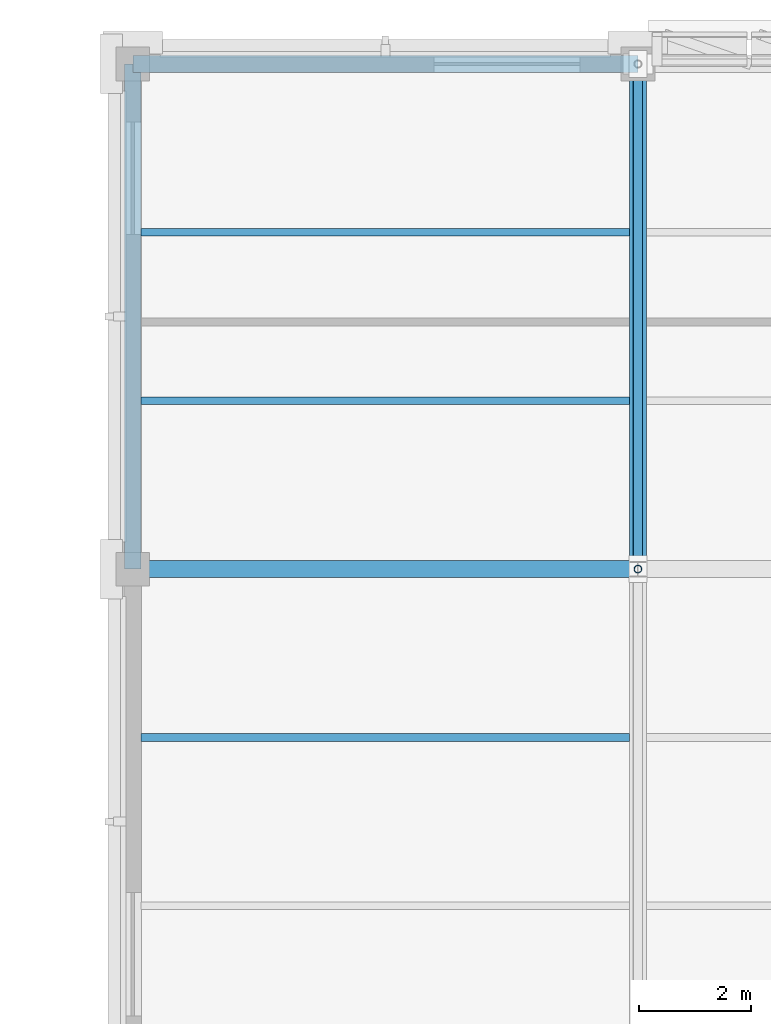
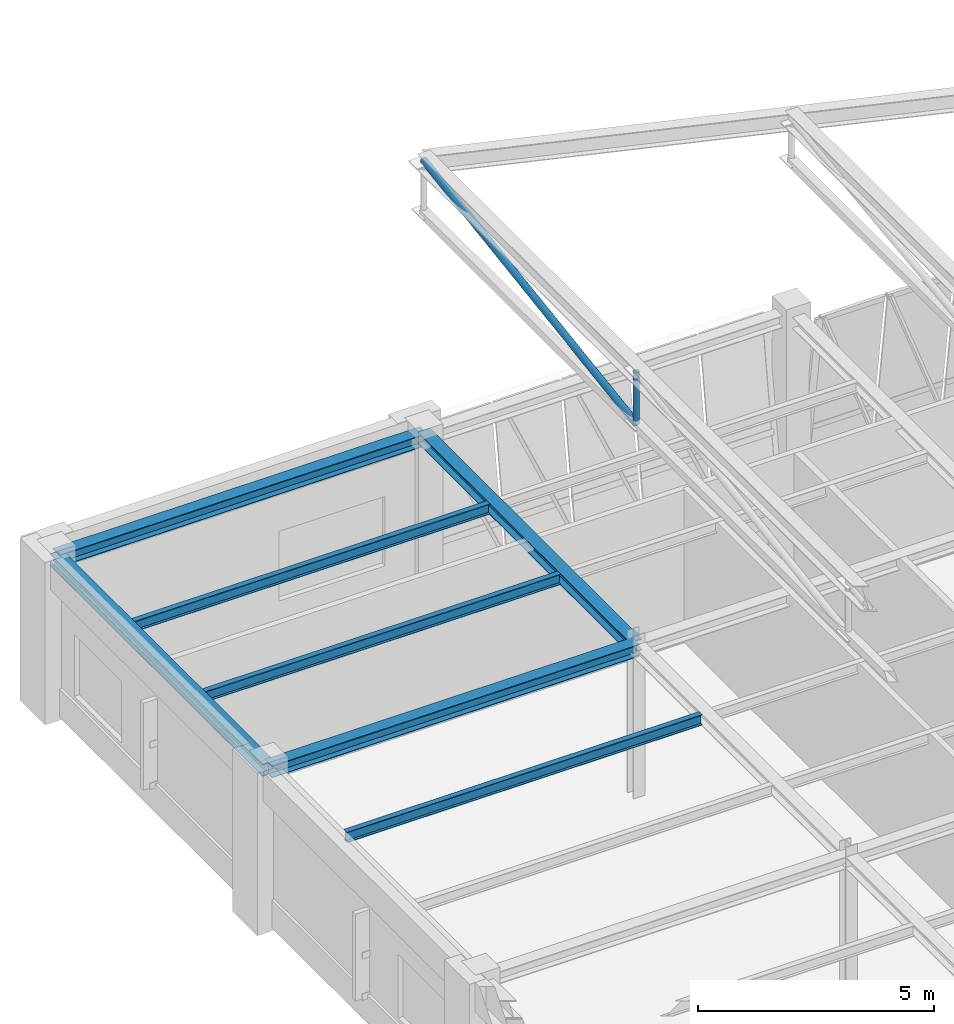
# One storey, part 75 of 130: 7 beams, 2 members.
"""IFC4 building model written with IfcOpenShell, lengths in metres."""

from ifc_helpers import new_model, si_unit, direction, frame, origin, origin_2d, place, context, subcontext, project, spatial, hollow_circle, i_section, extrude, material, material_profile, profile_set, type_object, element, save


model = new_model("IFC4")

# Units and contexts
model_context = context("Model", 3, precision=1e-05, world=origin(), true_north=direction((0.0, 1.0)))
body_context = subcontext(model_context, "Body", "Model", "MODEL_VIEW")
ifc_project = project(units=[si_unit("LENGTHUNIT", "METRE"), si_unit("AREAUNIT", "SQUARE_METRE"), si_unit("VOLUMEUNIT", "CUBIC_METRE"), si_unit("PLANEANGLEUNIT", "RADIAN"), si_unit("MASSUNIT", "GRAM", prefix="KILO")], contexts=[model_context])

# Site, building, storey
site_placement = place(None, origin())
site = spatial("IfcSite", under=ifc_project, at=site_placement, CompositionType="ELEMENT")
building_placement = place(site_placement, origin())
building = spatial("IfcBuilding", under=site, at=building_placement, Name="Lykobir Media Centre", CompositionType="ELEMENT")
storey_placement = place(building_placement, frame((0.0, 0.0, 19.199951171875)))
storey = spatial("IfcBuildingStorey", under=building, at=storey_placement, Name="L04", CompositionType="ELEMENT", Elevation=19.199951171875)

# Beams
ifc_material = material(Name="Steel S355", Category="steel")
ifc_material_profile_1 = material_profile(ifc_material, i_section(OverallWidth=0.300048828125, OverallDepth=0.2900390625, WebThickness=0.008544921875, FlangeThickness=0.013916015625, at=origin_2d()), Name="HEA 300")
ifc_profile_set_1 = profile_set([ifc_material_profile_1], Name="Steel S355")
beam_type_1 = type_object("IfcBeamType", Name="BM-HEA300", PredefinedType="BEAM", material=ifc_profile_set_1)
beam_1_placement = place(storey_placement, frame((36.0, 99.0, 3.81494140625), z_axis=(0.0, 1.0, 0.0), x_axis=(-1.0, 0.0, 0.0)))
element("IfcBeam", 1, at=beam_1_placement, inside=storey, type_object=beam_type_1, Name="Beam BM-L04-0360-0990-0360-1080-2302", PredefinedType="BEAM", context=body_context, shape_type="SweptSolid", body=[
    extrude(i_section(OverallWidth=0.300048828125, OverallDepth=0.2900390625, WebThickness=0.008544921875, FlangeThickness=0.013916015625, at=origin_2d()), origin(), (0.0, 0.0, 1.0), 9.0),
])
ifc_material_profile_2 = material_profile(ifc_material, i_section(OverallWidth=0.300048828125, OverallDepth=0.31005859375, WebThickness=0.009033203125, FlangeThickness=0.015380859375, at=origin_2d()), Name="HEA 320")
ifc_profile_set_2 = profile_set([ifc_material_profile_2], Name="Steel S355")
beam_type_2 = type_object("IfcBeamType", Name="BM-HEA320", PredefinedType="BEAM", material=ifc_profile_set_2)
beam_2_placement = place(storey_placement, frame((27.0, 99.0, 3.804931640625), z_axis=(1.0, 0.0, 0.0), x_axis=(0.0, 1.0, 0.0)))
element("IfcBeam", 2, at=beam_2_placement, inside=storey, type_object=beam_type_2, Name="Beam BM-L04-0270-0990-0360-0990-2300", PredefinedType="BEAM", context=body_context, shape_type="SweptSolid", body=[
    extrude(i_section(OverallWidth=0.300048828125, OverallDepth=0.31005859375, WebThickness=0.009033203125, FlangeThickness=0.015380859375, at=origin_2d()), origin(), (0.0, 0.0, 1.0), 9.0),
])

# Members
ifc_material_profile_3 = material_profile(ifc_material, hollow_circle(Radius=0.06982421875, WallThickness=0.008056640625, at=origin_2d()), Name="CHS 139.7x8.0")
ifc_profile_set_3 = profile_set([ifc_material_profile_3], Name="Steel S355")
member_type_1 = type_object("IfcMemberType", Name="BR-CHS140", PredefinedType="BRACE", material=ifc_profile_set_3)
member_1_placement = place(storey_placement, frame((36.0, 99.0, 10.93994140625), z_axis=(0.0, 0.0, -1.0), x_axis=(1.0, 0.0, 0.0)))
element("IfcMember", 3, at=member_1_placement, inside=storey, type_object=member_type_1, Name="Diagonal brace MEM2-L04-0360-0990-0301-0360-0990-0441", PredefinedType="BRACE", context=body_context, shape_type="SweptSolid", body=[
    extrude(hollow_circle(Radius=0.06982421875, WallThickness=0.008056640625, at=origin_2d()), origin(), (0.0, 0.0, 1.0), 1.349853515625),
])
ifc_material_profile_4 = material_profile(ifc_material, hollow_circle(Radius=0.084228515625, WallThickness=0.010009765625, at=origin_2d()), Name="CHS 168.3x10.0")
ifc_profile_set_4 = profile_set([ifc_material_profile_4], Name="Steel S355")
member_type_2 = type_object("IfcMemberType", Name="BR-CHS168", PredefinedType="BRACE", material=ifc_profile_set_4)
member_2_placement = place(storey_placement, frame((36.0, 99.0, 9.590087890625), z_axis=(0.0, 0.988938714016, 0.148324711095), x_axis=(-1.0, 0.0, 0.0)))
element("IfcMember", 4, at=member_2_placement, inside=storey, type_object=member_type_2, Name="Diagonal brace MEM2-L04-0360-0990-0288-0360-1080-0442", PredefinedType="BRACE", context=body_context, shape_type="SweptSolid", body=[
    extrude(hollow_circle(Radius=0.084228515625, WallThickness=0.010009765625, at=origin_2d()), origin(), (0.0, 0.0, 1.0), 9.1005859375),
])

# Beams
ifc_material_profile_5 = material_profile(ifc_material, i_section(OverallWidth=0.135009765625, OverallDepth=0.27001953125, WebThickness=0.006591796875, FlangeThickness=0.01025390625, at=origin_2d()), Name="IPE 270")
ifc_profile_set_5 = profile_set([ifc_material_profile_5], Name="Steel S355")
beam_type_3 = type_object("IfcBeamType", Name="JS-IPE270", PredefinedType="JOIST", material=ifc_profile_set_5)
for number, where, z_axis, x_axis, name in (
    (5, (27.14990234375, 96.0, 3.824951171875), (1.0, 0.0, 0.0), (0.0, 1.0, 0.0), "Beam BM-L04-0272-0960-0358-0960-2302"),
    (6, (27.14990234375, 102.0, 3.824951171875), (1.0, 0.0, 0.0), (0.0, 1.0, 0.0), "Beam BM-L04-0272-1020-0358-1020-2302"),
    (7, (27.14990234375, 105.0, 3.824951171875), (1.0, 0.0, 0.0), (0.0, 1.0, 0.0), "Beam BM-L04-0272-1050-0358-1050-2302"),
):
    element("IfcBeam", number, at=place(storey_placement, frame(where, z_axis=z_axis, x_axis=x_axis)), inside=storey, type_object=beam_type_3, Name=name, PredefinedType="JOIST", context=body_context, shape_type="SweptSolid", body=[
        extrude(i_section(OverallWidth=0.135009765625, OverallDepth=0.27001953125, WebThickness=0.006591796875, FlangeThickness=0.01025390625, at=origin_2d()), origin(), (0.0, 0.0, 1.0), 8.7001953125),
    ])
ifc_material_profile_6 = material_profile(ifc_material, i_section(OverallWidth=0.300048828125, OverallDepth=0.31005859375, WebThickness=0.009033203125, FlangeThickness=0.015380859375, at=origin_2d()), Name="HEA 320")
ifc_profile_set_6 = profile_set([ifc_material_profile_6], Name="Steel S355")
beam_type_4 = type_object("IfcBeamType", Name="SP-HEA320", PredefinedType="SPANDREL", material=ifc_profile_set_6)
for number, where, z_axis, x_axis, name in (
    (8, (27.0, 108.0, 3.804931640625), (1.0, 0.0, 0.0), (0.0, 1.0, 0.0), "Beam BM-L04-0270-1080-0360-1080-2300"),
    (9, (27.0, 99.0, 3.804931640625), (0.0, 1.0, 0.0), (-1.0, 0.0, 0.0), "Beam BM-L04-0270-0990-0270-1080-2300"),
):
    element("IfcBeam", number, at=place(storey_placement, frame(where, z_axis=z_axis, x_axis=x_axis)), inside=storey, type_object=beam_type_4, Name=name, PredefinedType="SPANDREL", context=body_context, shape_type="SweptSolid", body=[
        extrude(i_section(OverallWidth=0.300048828125, OverallDepth=0.31005859375, WebThickness=0.009033203125, FlangeThickness=0.015380859375, at=origin_2d()), origin(), (0.0, 0.0, 1.0), 9.0),
    ])

save(model, "model.ifc")
